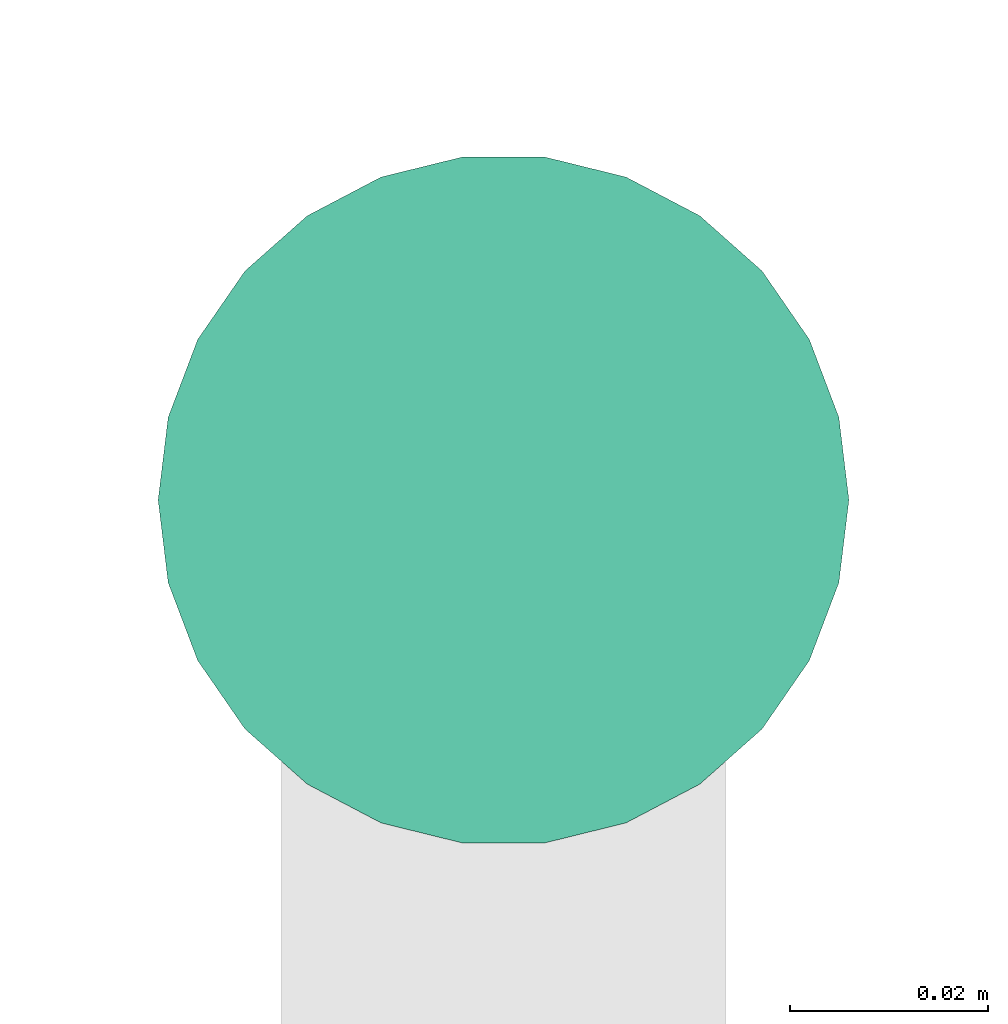
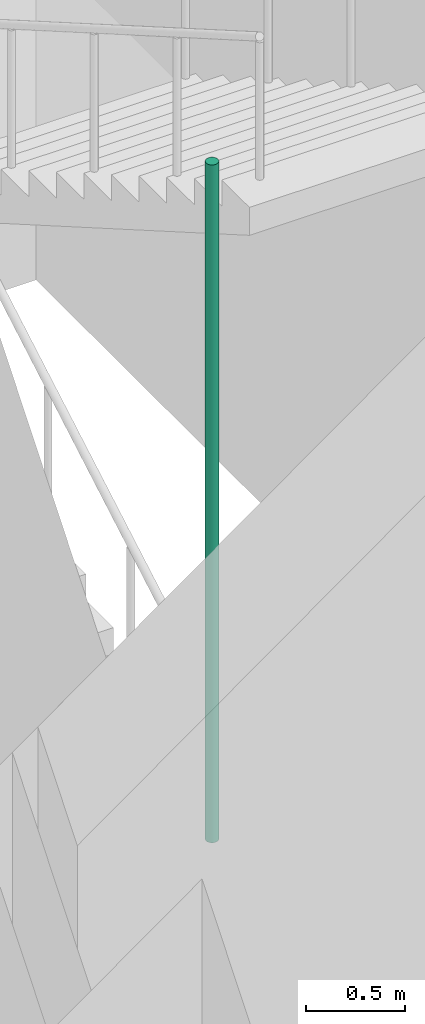
# One storey, part 32 of 36: 1 pipe segment.
"""IFC4 building model written with IfcOpenShell, lengths in metres."""

from ifc_helpers import new_model, si_unit, direction, frame, origin, origin_2d, place, context, subcontext, project, spatial, circle, extrude, element, save


model = new_model("IFC4")

# Units and contexts
model_context = context("Model", 3, precision=1e-05, world=origin(), true_north=direction((0.0, 1.0)))
body_context = subcontext(model_context, "Body", "Model", "MODEL_VIEW")
ifc_project = project(units=[si_unit("LENGTHUNIT", "METRE"), si_unit("AREAUNIT", "SQUARE_METRE"), si_unit("VOLUMEUNIT", "CUBIC_METRE"), si_unit("PLANEANGLEUNIT", "RADIAN"), si_unit("MASSUNIT", "GRAM", prefix="KILO")], contexts=[model_context])

# Site, building, storey
site_placement = place(None, origin())
site = spatial("IfcSite", under=ifc_project, at=site_placement, CompositionType="ELEMENT")
building_placement = place(site_placement, origin())
building = spatial("IfcBuilding", under=site, at=building_placement, Name="Nzadi Deep Aquarium and Research Tower", CompositionType="ELEMENT")
storey_placement = place(building_placement, frame((0.0, 0.0, 36.10009765625)))
storey = spatial("IfcBuildingStorey", under=building, at=storey_placement, Name="L06", CompositionType="ELEMENT", Elevation=36.10009765625)

# Pipe segment
pipe_segment_placement = place(storey_placement, frame((2.300048828125, 12.320068359375, 0.0), z_axis=(0.0, 0.0, 1.0), x_axis=(1.0, 0.0, 0.0)))
element("IfcPipeSegment", 1, at=pipe_segment_placement, inside=storey, Name="Dry riser ST-Z1-SW L06", PredefinedType="RIGIDSEGMENT", context=body_context, shape_type="SweptSolid", body=[
    extrude(circle(Radius=0.034912109375, at=origin_2d()), origin(), (0.0, 0.0, 1.0), 4.199951171875),
])

save(model, "model.ifc")
